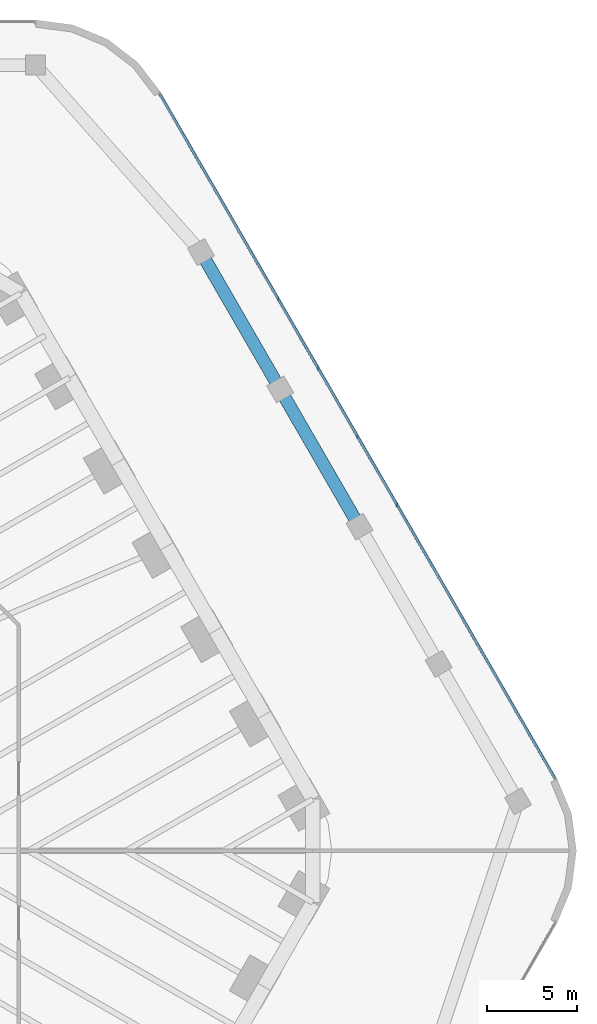
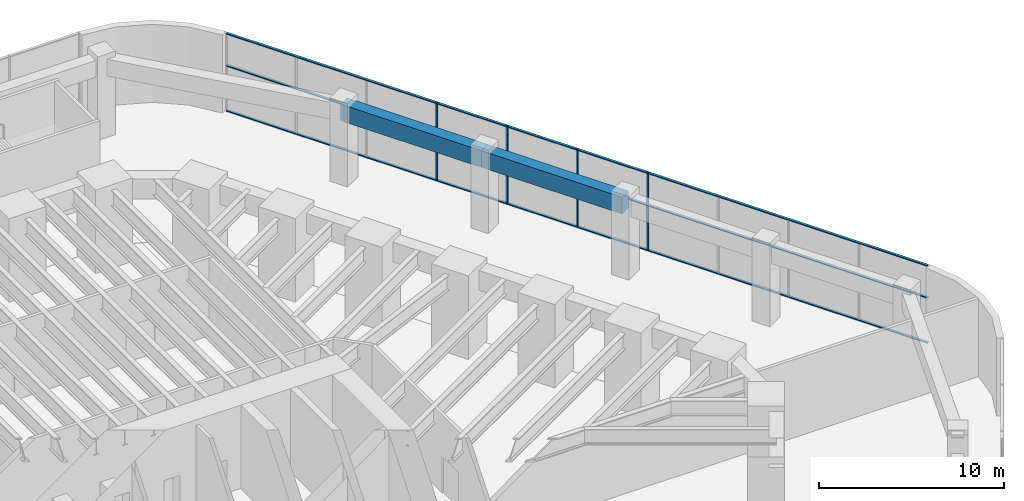
# One storey, part 21 of 31: 7 members, 2 beams, 1 element without a shape of its own.
"""IFC4 building model written with IfcOpenShell, lengths in metres."""

from ifc_helpers import new_model, si_unit, direction, frame, origin, origin_2d, place, context, subcontext, project, spatial, rectangle, extrude, material, material_profile, profile_set, type_object, element, aggregate, save


model = new_model("IFC4")

# Units and contexts
model_context = context("Model", 3, precision=1e-05, world=origin(), true_north=direction((0.0, 1.0)))
body_context = subcontext(model_context, "Body", "Model", "MODEL_VIEW")
ifc_project = project(units=[si_unit("LENGTHUNIT", "METRE"), si_unit("AREAUNIT", "SQUARE_METRE"), si_unit("VOLUMEUNIT", "CUBIC_METRE"), si_unit("PLANEANGLEUNIT", "RADIAN"), si_unit("MASSUNIT", "GRAM", prefix="KILO")], contexts=[model_context])

# Site, building, storey
site_placement = place(None, origin())
site = spatial("IfcSite", under=ifc_project, at=site_placement, CompositionType="ELEMENT")
building_placement = place(site_placement, origin())
building = spatial("IfcBuilding", under=site, at=building_placement, Name="Tarfa Lantern Tower", CompositionType="ELEMENT")
storey_placement = place(building_placement, frame((0.0, 0.0, 13.0)))
storey = spatial("IfcBuildingStorey", under=building, at=storey_placement, Name="L02", CompositionType="ELEMENT", Elevation=13.0)

# Curtain wall, members
ifc_material_1 = material(Name="Aluminium framed curtain wall", Category="aluminium")
curtain_wall_type = type_object("IfcCurtainWallType", Name="CW7 PODIUM GLAZING 5150", PredefinedType="USERDEFINED", material=ifc_material_1)
curtain_wall_placement = place(storey_placement, origin())
curtain_wall = element("IfcCurtainWall", 1, at=curtain_wall_placement, inside=storey, type_object=curtain_wall_type, Name="CW7 NE L02", ObjectType="CURTAIN WALL", PredefinedType="USERDEFINED")
ifc_material_2 = material(Name="Aluminium mullion", Category="aluminium")
ifc_material_profile_1 = material_profile(ifc_material_2, rectangle(XDim=0.06494140625, YDim=0.199951171875, at=origin_2d()), Name="AL MULLION 65x200")
ifc_profile_set_1 = profile_set([ifc_material_profile_1], Name="Aluminium mullion")
member_type_1 = type_object("IfcMemberType", Name="CWM1 MULLION 65x200", PredefinedType="MULLION", material=ifc_profile_set_1)
member_1_placement = place(storey_placement, frame((41.944580078125, 19.14990234375, 0.0), z_axis=(0.0, 0.0, 1.0), x_axis=(1.0, 0.0, 0.0)))
member_1 = element("IfcMember", 2, at=member_1_placement, type_object=member_type_1, Name="CW7 mullion 5", PredefinedType="MULLION", context=body_context, shape_type="SweptSolid", body=[
    extrude(rectangle(XDim=0.06494140625, YDim=0.199951171875, at=origin_2d()), origin(), (0.0, 0.0, 1.0), 5.14990234375),
])
member_2_placement = place(storey_placement, frame((39.75048828125, 22.949951171875, 0.0), z_axis=(0.0, 0.0, 1.0), x_axis=(1.0, 0.0, 0.0)))
member_2 = element("IfcMember", 3, at=member_2_placement, type_object=member_type_1, Name="CW7 mullion 6", PredefinedType="MULLION", context=body_context, shape_type="SweptSolid", body=[
    extrude(rectangle(XDim=0.06494140625, YDim=0.199951171875, at=origin_2d()), origin(), (0.0, 0.0, 1.0), 5.14990234375),
])
member_3_placement = place(storey_placement, frame((37.556640625, 26.75, 0.0), z_axis=(0.0, 0.0, 1.0), x_axis=(1.0, 0.0, 0.0)))
member_3 = element("IfcMember", 4, at=member_3_placement, type_object=member_type_1, Name="CW7 mullion 7", PredefinedType="MULLION", context=body_context, shape_type="SweptSolid", body=[
    extrude(rectangle(XDim=0.06494140625, YDim=0.199951171875, at=origin_2d()), origin(), (0.0, 0.0, 1.0), 5.14990234375),
])
member_4_placement = place(storey_placement, frame((35.36279296875, 30.550048828125, 0.0), z_axis=(0.0, 0.0, 1.0), x_axis=(1.0, 0.0, 0.0)))
member_4 = element("IfcMember", 5, at=member_4_placement, type_object=member_type_1, Name="CW7 mullion 8", PredefinedType="MULLION", context=body_context, shape_type="SweptSolid", body=[
    extrude(rectangle(XDim=0.06494140625, YDim=0.199951171875, at=origin_2d()), origin(), (0.0, 0.0, 1.0), 5.14990234375),
])
ifc_material_3 = material(Name="Aluminium transom", Category="aluminium")
ifc_material_profile_2 = material_profile(ifc_material_3, rectangle(XDim=0.14990234375, YDim=0.06494140625, at=origin_2d()), Name="AL TRANSOM 150x65")
ifc_profile_set_2 = profile_set([ifc_material_profile_2], Name="Aluminium transom")
member_type_2 = type_object("IfcMemberType", Name="CWT1 TRANSOM 150x65", PredefinedType="USERDEFINED", material=ifc_profile_set_2)
member_5_placement = place(storey_placement, frame((50.687744140625, 4.00634765625, 0.032470703125), z_axis=(-0.499998927597, 0.866026022936, 0.0), x_axis=(-0.866026022936, -0.499998927597, 0.0)))
member_5 = element("IfcMember", 6, at=member_5_placement, type_object=member_type_2, Name="CW7 transom 1.1", ObjectType="TRANSOM", PredefinedType="USERDEFINED", context=body_context, shape_type="SweptSolid", body=[
    extrude(rectangle(XDim=0.14990234375, YDim=0.06494140625, at=origin_2d()), origin(), (0.0, 0.0, 1.0), 43.74853515625),
])
member_6_placement = place(storey_placement, frame((50.687744140625, 4.00634765625, 3.0), z_axis=(-0.499998927597, 0.866026022936, 0.0), x_axis=(-0.866026022936, -0.499998927597, 0.0)))
member_6 = element("IfcMember", 7, at=member_6_placement, type_object=member_type_2, Name="CW7 transom 1.2", ObjectType="TRANSOM", PredefinedType="USERDEFINED", context=body_context, shape_type="SweptSolid", body=[
    extrude(rectangle(XDim=0.14990234375, YDim=0.06494140625, at=origin_2d()), origin(), (0.0, 0.0, 1.0), 43.74853515625),
])
member_7_placement = place(storey_placement, frame((50.687744140625, 4.00634765625, 5.117431640625), z_axis=(-0.499998927597, 0.866026022936, 0.0), x_axis=(-0.866026022936, -0.499998927597, 0.0)))
member_7 = element("IfcMember", 8, at=member_7_placement, type_object=member_type_2, Name="CW7 transom 1.3", ObjectType="TRANSOM", PredefinedType="USERDEFINED", context=body_context, shape_type="SweptSolid", body=[
    extrude(rectangle(XDim=0.14990234375, YDim=0.06494140625, at=origin_2d()), origin(), (0.0, 0.0, 1.0), 43.74853515625),
])
aggregate(curtain_wall, [member_1, member_2, member_3, member_4, member_5, member_6, member_7])

# Beams
ifc_material_4 = material(Name="Concrete C80/95", Category="concrete")
ifc_material_profile_3 = material_profile(ifc_material_4, rectangle(XDim=0.699951171875, YDim=1.10009765625, at=origin_2d()), Name="RC 700x1100")
ifc_profile_set_3 = profile_set([ifc_material_profile_3], Name="Concrete C80/95")
beam_type = type_object("IfcBeamType", Name="PB1 RC 700x1100", PredefinedType="BEAM", material=ifc_profile_set_3)
for number, where, z_axis, x_axis, name in (
    (9, (39.865966796875, 17.949951171875, 4.60009765625), (-0.499980931779, 0.866036412547, 0.0), (-0.866036412547, -0.499980931779, 0.0), "Podium ring beam NE2"),
    (10, (35.478271484375, 25.550048828125, 4.60009765625), (-0.500013843384, 0.866017411155, 0.0), (-0.866017411155, -0.500013843384, 0.0), "Podium ring beam NE3"),
):
    element("IfcBeam", number, at=place(storey_placement, frame(where, z_axis=z_axis, x_axis=x_axis)), inside=storey, type_object=beam_type, Name=name, PredefinedType="BEAM", context=body_context, shape_type="SweptSolid", body=[
        extrude(rectangle(XDim=0.699951171875, YDim=1.10009765625, at=origin_2d()), origin(), (0.0, 0.0, 1.0), 8.775634765625),
    ])

save(model, "model.ifc")
